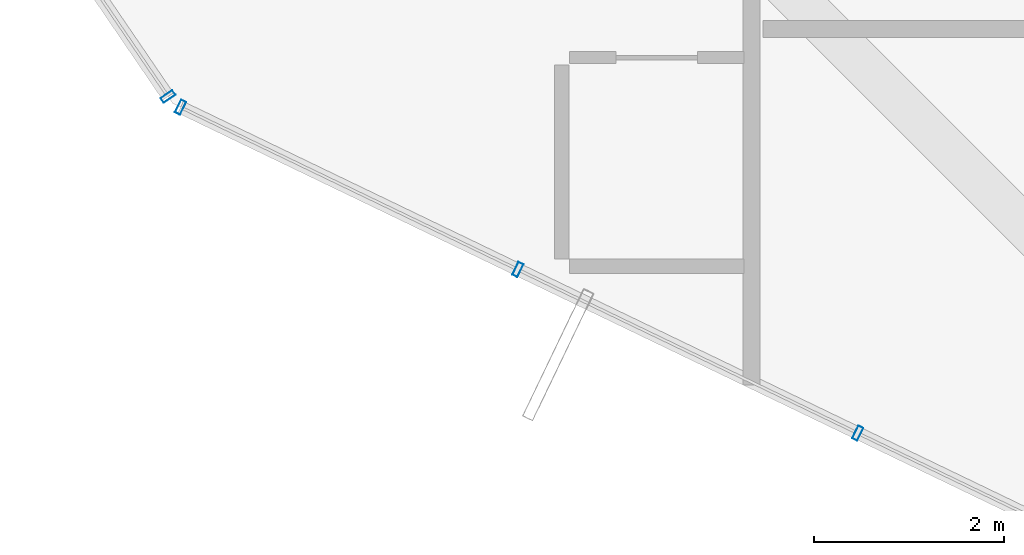
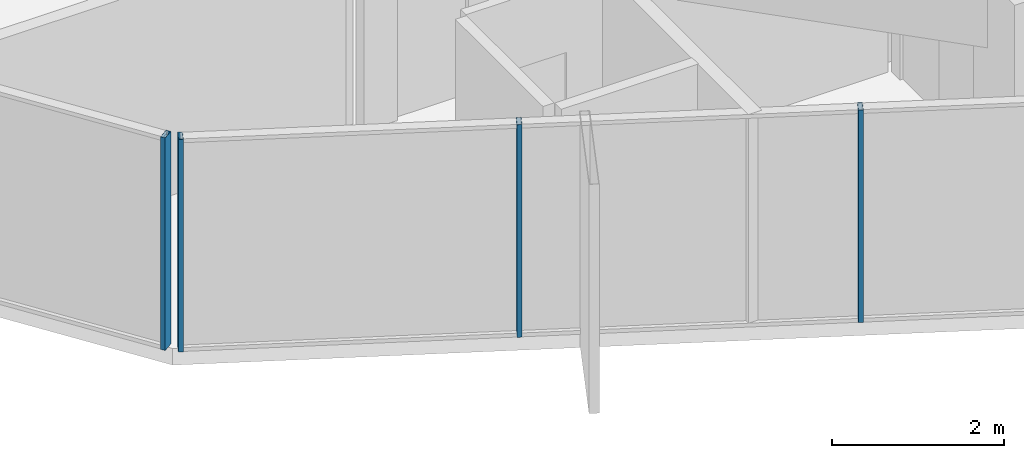
# One storey, part 2 of 34: 4 members, 2 elements without a shape of their own.
"""IFC4 building model written with IfcOpenShell, lengths in metres."""

from ifc_helpers import new_model, si_unit, direction, frame, origin, origin_2d, place, context, subcontext, project, spatial, hollow_rectangle, extrude, source, transform, mapped, material, layer, layer_set, material_profile, profile_set, type_object, element, aggregate, save


model = new_model("IFC4")

# Units and contexts
model_context = context("Model", 3, precision=1e-05, world=origin(), true_north=direction((0.0, 1.0)))
body_context = subcontext(model_context, "Body", "Model", "MODEL_VIEW")
ifc_project = project(units=[si_unit("LENGTHUNIT", "METRE"), si_unit("AREAUNIT", "SQUARE_METRE"), si_unit("VOLUMEUNIT", "CUBIC_METRE"), si_unit("PLANEANGLEUNIT", "RADIAN"), si_unit("MASSUNIT", "GRAM", prefix="KILO")], contexts=[model_context])

# Site, building, storey
site_placement = place(None, origin())
site = spatial("IfcSite", under=ifc_project, at=site_placement, CompositionType="ELEMENT")
building_placement = place(site_placement, origin())
building = spatial("IfcBuilding", under=site, at=building_placement, Name="Veraguas Prism Commons", CompositionType="ELEMENT")
storey_placement = place(building_placement, frame((0.0, 0.0, 191.85009765625)))
storey = spatial("IfcBuildingStorey", under=building, at=storey_placement, Name="L54", CompositionType="ELEMENT", Elevation=191.85009765625)

# Curtain wall, members
ifc_material = material(Name="Anodised aluminium EN AW-6063 T6", Category="aluminium")
ifc_layer = layer(ifc_material, 0.14990234375, Name="Unitised Flush Curtain Wall Zone 3", Category="aluminium")
ifc_layer_set = layer_set([ifc_layer], Name="Anodised aluminium EN AW-6063 T6")
curtain_wall_type = type_object("IfcCurtainWallType", Name="Unitised Flush Curtain Wall Zone 3", PredefinedType="NOTDEFINED", material=ifc_layer_set)
curtain_wall_1_placement = place(storey_placement, origin())
curtain_wall_1 = element("IfcCurtainWall", 1, at=curtain_wall_1_placement, inside=storey, type_object=curtain_wall_type, Name="Tower Facade Curtain Wall L54-F4", PredefinedType="NOTDEFINED")
ifc_material_profile = material_profile(ifc_material, hollow_rectangle(XDim=0.06005859375, YDim=0.14990234375, WallThickness=0.0029296875, at=origin_2d()), Name="AL60X150X3")
ifc_profile_set = profile_set([ifc_material_profile], Name="Anodised aluminium EN AW-6063 T6")
member_type = type_object("IfcMemberType", Name="Curtain Wall Mullion Upper AL 60x150x3", PredefinedType="MULLION", material=ifc_profile_set)
shared_shape = source(origin(), body_context, "Body", "SweptSolid", [
    extrude(hollow_rectangle(XDim=0.06005859375, YDim=0.14990234375, WallThickness=0.0029296875, at=origin_2d()), origin(), (0.0, 0.0, 1.0), 3.014892578125),
])
member_1_placement = place(storey_placement, frame((9.18212890625, 11.476806640625, 0.0), z_axis=(0.0, 0.0, 1.0), x_axis=(0.901073993789, -0.433665375281, 0.0)))
member_1 = element("IfcMember", 2, at=member_1_placement, type_object=member_type, Name="CW-Z3 Mullion 1", PredefinedType="MULLION", context=body_context, shape_type="MappedRepresentation", body=[
    mapped(shared_shape, transform((0.0, 0.0, 0.0), scale=1.0)),
])
member_2_placement = place(storey_placement, frame((12.737548828125, 9.765869140625, 0.0), z_axis=(0.0, 0.0, 1.0), x_axis=(0.901073993789, -0.433665375281, 0.0)))
member_2 = element("IfcMember", 3, at=member_2_placement, type_object=member_type, Name="CW-Z3 Mullion 2", PredefinedType="MULLION", context=body_context, shape_type="MappedRepresentation", body=[
    mapped(shared_shape, transform((0.0, 0.0, 0.0), scale=1.0)),
])
member_3_placement = place(storey_placement, frame((16.31982421875, 8.041748046875, 0.0), z_axis=(0.0, 0.0, 1.0), x_axis=(0.901073993789, -0.433665375281, 0.0)))
member_3 = element("IfcMember", 4, at=member_3_placement, type_object=member_type, Name="CW-Z3 Mullion 3", PredefinedType="MULLION", context=body_context, shape_type="MappedRepresentation", body=[
    mapped(shared_shape, transform((0.0, 0.0, 0.0), scale=1.0)),
])
aggregate(curtain_wall_1, [member_1, member_2, member_3])

# Curtain wall, member
curtain_wall_2_placement = place(storey_placement, origin())
curtain_wall_2 = element("IfcCurtainWall", 5, at=curtain_wall_2_placement, inside=storey, type_object=curtain_wall_type, Name="Chamfer Curtain Wall L54-C4", PredefinedType="NOTDEFINED")
member_4_placement = place(storey_placement, frame((9.05029296875, 11.59033203125, 0.0), z_axis=(0.0, 0.0, 1.0), x_axis=(0.563553443085, -0.82607960681, 0.0)))
member_4 = element("IfcMember", 6, at=member_4_placement, type_object=member_type, Name="CW-Z3 Mullion 2", PredefinedType="MULLION", context=body_context, shape_type="MappedRepresentation", body=[
    mapped(shared_shape, transform((0.0, 0.0, 0.0), scale=1.0)),
])
aggregate(curtain_wall_2, [member_4])

save(model, "model.ifc")
